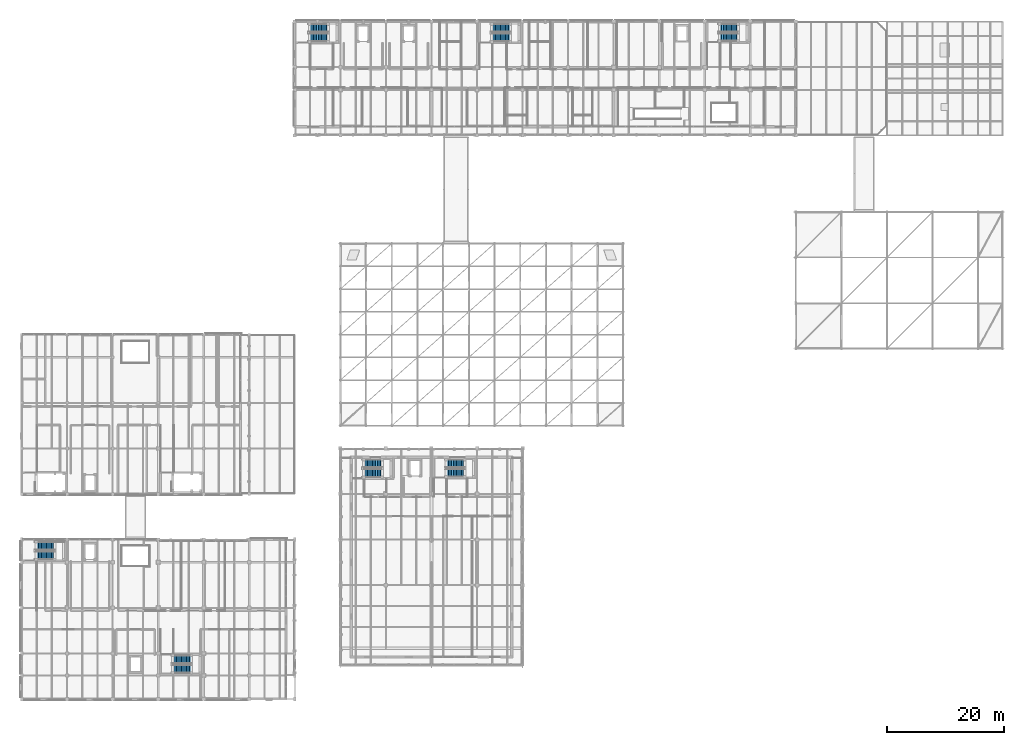
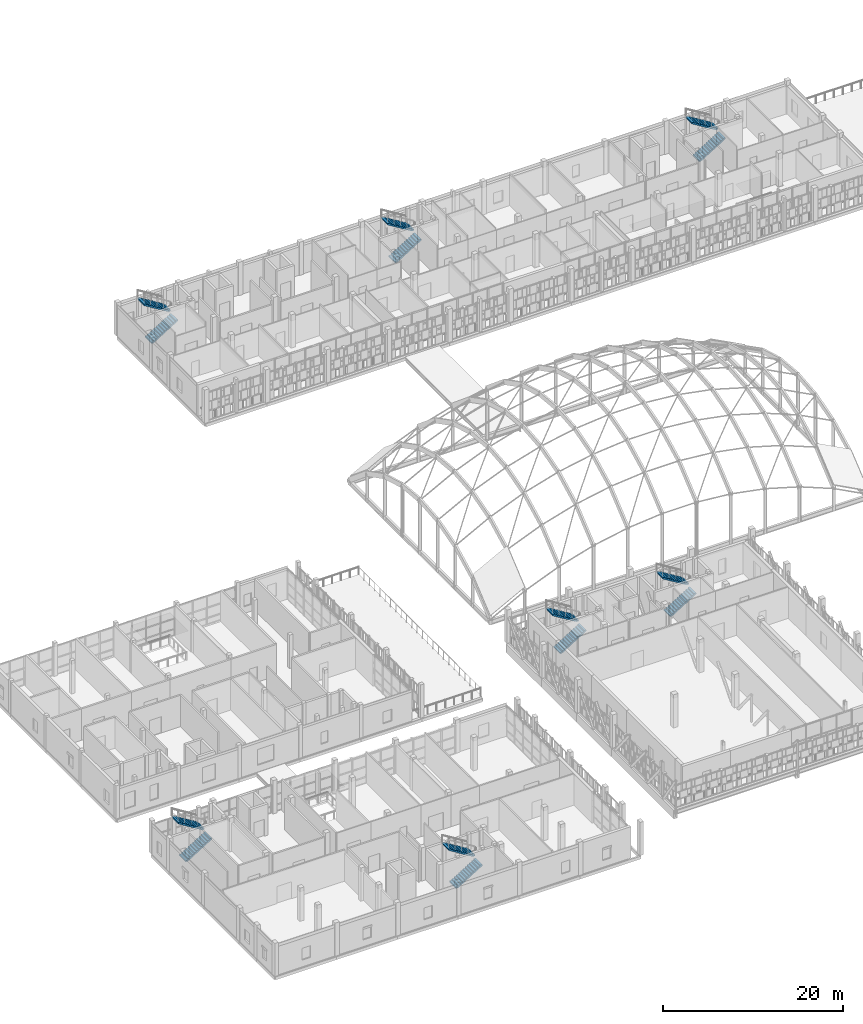
# One storey, part 101 of 119: 14 stair flights, 7 elements without a shape of their own.
"""IFC4 building model written with IfcOpenShell, lengths in metres."""

import ifcopenshell
import ifcopenshell.guid

model = None  # the IFC model being written
_history = None  # IfcOwnerHistory: only IFC2X3 demands one
_inside = {}  # id of a spatial element -> (the spatial element, [elements in it])
_under = {}  # id of a project, library or spatial element -> (it, [spatial elements below it])
_declared = {}  # id of a project -> (the project, [libraries it declares])
_typed = {}  # id of a type object -> (the type object, [elements of that type])
_made_of = {}  # id of a material, layer set ... -> (it, [elements and type objects made of it])


def new_model(schema):
    """Start an empty IFC model of exactly this schema.

    Asked for "IFC4X3", IfcOpenShell would pick the latest addendum, in which some entities
    have other attributes; the version numbers below select the first issue.
    IFC2X3 requires an IfcOwnerHistory on every rooted entity: one is made here for all.
    """
    global model, _history
    if schema == "IFC4X3":
        model = ifcopenshell.file(schema_version=(4, 3, 0, 0))
    else:
        model = ifcopenshell.file(schema=schema)
    _inside.clear()
    _under.clear()
    _declared.clear()
    _typed.clear()
    _made_of.clear()
    _history = None
    if model.schema == "IFC2X3":
        org = make("IfcOrganization", Name="unknown")
        user = make(
            "IfcPersonAndOrganization",
            ThePerson=make("IfcPerson", FamilyName="unknown"),
            TheOrganization=org,
        )
        app = make(
            "IfcApplication",
            ApplicationDeveloper=org,
            Version="unknown",
            ApplicationFullName="unknown",
            ApplicationIdentifier="unknown",
        )
        _history = make(
            "IfcOwnerHistory",
            OwningUser=user,
            OwningApplication=app,
            ChangeAction="ADDED",
            CreationDate=0,
        )
    return model


def make(cls, **values):
    """One entity of the class cls with the attributes given. An attribute that is None is left unset."""
    return model.create_entity(
        cls, **{name: value for name, value in values.items() if value is not None}
    )


def rooted(cls, **values):
    """An entity with a GlobalId (a new one), such as an element, a storey or a relation."""
    return make(cls, GlobalId=ifcopenshell.guid.new(), OwnerHistory=_history, **values)


def si_unit(unit_type, name, prefix=None):
    """IfcSIUnit, for example si_unit("LENGTHUNIT", "METRE", prefix="MILLI")."""
    return make("IfcSIUnit", UnitType=unit_type, Prefix=prefix, Name=name)


def assignment(units):
    """IfcUnitAssignment: the units of a project."""
    return None if units is None else make("IfcUnitAssignment", Units=units)


def point(xyz):
    """IfcCartesianPoint."""
    return None if xyz is None else make("IfcCartesianPoint", Coordinates=xyz)


def direction(xyz):
    """IfcDirection."""
    return None if xyz is None else make("IfcDirection", DirectionRatios=xyz)


def frame(location, z_axis=None, x_axis=None):
    """IfcAxis2Placement3D, a coordinate frame: its origin and axes. An axis left out is left unset."""
    return make(
        "IfcAxis2Placement3D",
        Location=point(location),
        Axis=direction(z_axis),
        RefDirection=direction(x_axis),
    )


def origin():
    """The frame at (0, 0, 0) with its axes left unset."""
    return frame((0.0, 0.0, 0.0))


def place(relative_to, where):
    """IfcLocalPlacement: puts the frame where relative to a parent placement (None: the world)."""
    return make(
        "IfcLocalPlacement", PlacementRelTo=relative_to, RelativePlacement=where
    )


def context(
    kind, dimensions, precision=None, world=None, true_north=None, identifier=None
):
    """IfcGeometricRepresentationContext, for example the 3D "Model" context."""
    return make(
        "IfcGeometricRepresentationContext",
        ContextIdentifier=identifier,
        ContextType=kind,
        CoordinateSpaceDimension=dimensions,
        Precision=precision,
        WorldCoordinateSystem=world,
        TrueNorth=true_north,
    )


def subcontext(parent, identifier, kind, view, scale=None):
    """IfcGeometricRepresentationSubContext, for example "Body" below "Model"."""
    return make(
        "IfcGeometricRepresentationSubContext",
        ContextIdentifier=identifier,
        ContextType=kind,
        ParentContext=parent,
        TargetScale=scale,
        TargetView=view,
    )


def project(units=None, contexts=None):
    """IfcProject with its units and contexts."""
    return rooted(
        "IfcProject",
        Name="project",
        RepresentationContexts=contexts,
        UnitsInContext=assignment(units),
    )


def spatial(cls, under=None, at=None, **own):
    """A site, building, storey or space (cls), placed at a placement, below another one or the project."""
    s = rooted(cls, ObjectPlacement=at, **own)
    if under is not None:
        _under.setdefault(under.id(), (under, []))[1].append(s)
    return s


def polyline(points):
    """IfcPolyline through the points."""
    return make("IfcPolyline", Points=[point(p) for p in points])


def outline(outer, holes=None, kind="AREA"):
    """IfcArbitraryClosedProfileDef: a profile drawn as a closed curve; with holes, ...WithVoids."""
    if holes is None:
        return make("IfcArbitraryClosedProfileDef", ProfileType=kind, OuterCurve=outer)
    return make(
        "IfcArbitraryProfileDefWithVoids",
        ProfileType=kind,
        OuterCurve=outer,
        InnerCurves=holes,
    )


def extrude(swept, where, along, depth):
    """IfcExtrudedAreaSolid: the profile swept, set in the frame where, extruded along a direction by depth."""
    return make(
        "IfcExtrudedAreaSolid",
        SweptArea=swept,
        Position=where,
        ExtrudedDirection=direction(along),
        Depth=depth,
    )


def shape(context_of_items, identifier, shape_type, items):
    """IfcShapeRepresentation: the items that make up one representation, for example the "Body"."""
    return make(
        "IfcShapeRepresentation",
        ContextOfItems=context_of_items,
        RepresentationIdentifier=identifier,
        RepresentationType=shape_type,
        Items=items,
    )


def material(Name=None, Category=None):
    """IfcMaterial."""
    return make("IfcMaterial", Name=Name, Category=Category)


def made_of(thing, what):
    """Note that an element or type object is made of a material, layer set ...; save() writes the relation."""
    if what is not None:
        _made_of.setdefault(what.id(), (what, []))[1].append(thing)
    return thing


def type_object(cls, material=None, **own):
    """A type object (cls), such as IfcWallType, which elements share."""
    return made_of(rooted(cls, **own), material)


def element(
    cls,
    number,
    at=None,
    inside=None,
    cuts=None,
    type_object=None,
    material=None,
    context=None,
    identifier="Body",
    shape_type=None,
    held_by="IfcProductDefinitionShape",
    body=None,
    shapes=None,
    **own,
):
    """One element of the class cls, such as IfcWall. Its Tag is "e" and its number.

    at: its placement. inside: the storey or other place that contains it. cuts: it is an
    opening in that element (IfcRelVoidsElement). A single representation is given by context,
    identifier, shape_type and body (its items); several are given by shapes. held_by: the class
    of the entity that holds the representations. save() writes the other relations.
    """
    e = rooted(cls, Tag="e%d" % number, ObjectPlacement=at, **own)
    if body is not None:
        shapes = [shape(context, identifier, shape_type, body)]
    if shapes is not None:
        e.Representation = make(held_by, Representations=shapes)
    if inside is not None:
        _inside.setdefault(inside.id(), (inside, []))[1].append(e)
    if cuts is not None:
        rooted(
            "IfcRelVoidsElement", RelatingBuildingElement=cuts, RelatedOpeningElement=e
        )
    if type_object is not None:
        _typed.setdefault(type_object.id(), (type_object, []))[1].append(e)
    return made_of(e, material)


def aggregate(whole, parts):
    """IfcRelAggregates: a whole, such as a stair, and the parts it consists of."""
    return rooted("IfcRelAggregates", RelatingObject=whole, RelatedObjects=parts)


def save(model, path):
    """Write the relations noted so far, then the file.

    IfcRelAggregates (storeys below a building ...), IfcRelContainedInSpatialStructure (elements
    in a storey), IfcRelDefinesByType, IfcRelAssociatesMaterial and IfcRelDeclares: one each for
    every whole, place, type object, material and project.
    """
    for whole, parts in _under.values():
        aggregate(whole, parts)
    for where, things in _inside.values():
        rooted(
            "IfcRelContainedInSpatialStructure",
            RelatedElements=things,
            RelatingStructure=where,
        )
    for kind, things in _typed.values():
        rooted("IfcRelDefinesByType", RelatedObjects=things, RelatingType=kind)
    for what, things in _made_of.values():
        rooted("IfcRelAssociatesMaterial", RelatedObjects=things, RelatingMaterial=what)
    for by, libraries in _declared.values():
        rooted("IfcRelDeclares", RelatingContext=by, RelatedDefinitions=libraries)
    model.write(path)


model = new_model("IFC4")

# Units and contexts
model_context = context("Model", 3, precision=1e-05, world=origin(), true_north=direction((0.0, 1.0)))
body_context = subcontext(model_context, "Body", "Model", "MODEL_VIEW")
ifc_project = project(units=[si_unit("LENGTHUNIT", "METRE"), si_unit("AREAUNIT", "SQUARE_METRE"), si_unit("VOLUMEUNIT", "CUBIC_METRE"), si_unit("PLANEANGLEUNIT", "RADIAN"), si_unit("MASSUNIT", "GRAM", prefix="KILO")], contexts=[model_context])

# Site, building, storey
site_placement = place(None, origin())
site = spatial("IfcSite", under=ifc_project, at=site_placement, CompositionType="ELEMENT")
building_placement = place(site_placement, origin())
building = spatial("IfcBuilding", under=site, at=building_placement, Name="Celorna Specialist Clinic", CompositionType="ELEMENT")
storey_placement = place(building_placement, frame((0.0, 0.0, 9.60009765625)))
storey = spatial("IfcBuildingStorey", under=building, at=storey_placement, Name="L02", CompositionType="ELEMENT", Elevation=9.60009765625)

# Stair, stair flights
ifc_material = material(Name="Concrete C35/45", Category="concrete")
stair_type_1 = type_object("IfcStairType", Name="ST-01", PredefinedType="HALF_TURN_STAIR", material=ifc_material)
stair_1_placement = place(storey_placement, origin())
stair_1 = element("IfcStair", 1, at=stair_1_placement, inside=storey, type_object=stair_type_1, Name="L02 Protected exit stair ST-01", PredefinedType="HALF_TURN_STAIR")
stair_flight_type_1 = type_object("IfcStairFlightType", Name="SFL-01", PredefinedType="STRAIGHT", material=ifc_material)
stair_flight_1_placement = place(storey_placement, frame((49.139892578125, 113.2451171875, 0.0), z_axis=(0.0, 0.0, 1.0), x_axis=(1.0, 0.0, 0.0)))
stair_flight_1 = element("IfcStairFlight", 2, at=stair_flight_1_placement, type_object=stair_flight_type_1, Name="ST-01 flight 1", NumberOfRisers=13, NumberOfTreads=12, PredefinedType="STRAIGHT", RiserHeight=0.173076923, TreadLength=0.28, context=body_context, shape_type="SweptSolid", body=[
    extrude(outline(polyline([(0.0, 0.0), (0.0, 0.173095703125), (0.280029296875, 0.173095703125), (0.280029296875, 0.34619140625), (0.56005859375, 0.34619140625), (0.56005859375, 0.519287109375), (0.840087890625, 0.519287109375), (0.840087890625, 0.6923828125), (1.1201171875, 0.6923828125), (1.1201171875, 0.865478515625), (1.39990234375, 0.865478515625), (1.39990234375, 1.03857421875), (1.679931640625, 1.03857421875), (1.679931640625, 1.21142578125), (1.9599609375, 1.21142578125), (1.9599609375, 1.384521484375), (2.239990234375, 1.384521484375), (2.239990234375, 1.5576171875), (2.52001953125, 1.5576171875), (2.52001953125, 1.730712890625), (2.800048828125, 1.730712890625), (2.800048828125, 1.90380859375), (3.080078125, 1.90380859375), (3.080078125, 2.076904296875), (3.360107421875, 2.076904296875), (3.360107421875, 2.25), (3.360107421875, 1.900634765625), (0.28515625, 0.0), (0.0, 0.0)])), frame((0.0, 0.72509765625, 0.0), z_axis=(0.0, -1.0, 0.0), x_axis=(1.0, 0.0, 0.0)), (0.0, 0.0, 1.0), 1.449951171875),
])
stair_flight_2_placement = place(storey_placement, frame((52.5, 114.89501953125, 2.25), z_axis=(0.0, 0.0, 1.0), x_axis=(-1.0, 0.0, 0.0)))
stair_flight_2 = element("IfcStairFlight", 3, at=stair_flight_2_placement, type_object=stair_flight_type_1, Name="ST-01 flight 2", NumberOfRisers=13, NumberOfTreads=12, PredefinedType="STRAIGHT", RiserHeight=0.173076923, TreadLength=0.28, context=body_context, shape_type="SweptSolid", body=[
    extrude(outline(polyline([(0.0, 0.0), (0.0, 0.173095703125), (0.280029296875, 0.173095703125), (0.280029296875, 0.34619140625), (0.56005859375, 0.34619140625), (0.56005859375, 0.519287109375), (0.840087890625, 0.519287109375), (0.840087890625, 0.6923828125), (1.1201171875, 0.6923828125), (1.1201171875, 0.865478515625), (1.39990234375, 0.865478515625), (1.39990234375, 1.03857421875), (1.679931640625, 1.03857421875), (1.679931640625, 1.21142578125), (1.9599609375, 1.21142578125), (1.9599609375, 1.384521484375), (2.239990234375, 1.384521484375), (2.239990234375, 1.5576171875), (2.52001953125, 1.5576171875), (2.52001953125, 1.730712890625), (2.800048828125, 1.730712890625), (2.800048828125, 1.90380859375), (3.080078125, 1.90380859375), (3.080078125, 2.076904296875), (3.360107421875, 2.076904296875), (3.360107421875, 2.25), (3.360107421875, 1.900634765625), (0.28515625, 0.0), (0.0, 0.0)])), frame((0.0, 0.72509765625, 0.0), z_axis=(0.0, -1.0, 0.0), x_axis=(1.0, 0.0, 0.0)), (0.0, 0.0, 1.0), 1.449951171875),
])
aggregate(stair_1, [stair_flight_1, stair_flight_2])

stair_2_placement = place(storey_placement, origin())
stair_2 = element("IfcStair", 4, at=stair_2_placement, inside=storey, type_object=stair_type_1, Name="L02 Protected exit stair ST-02", PredefinedType="HALF_TURN_STAIR")
stair_flight_3_placement = place(storey_placement, frame((80.340087890625, 113.2451171875, 0.0), z_axis=(0.0, 0.0, 1.0), x_axis=(1.0, 0.0, 0.0)))
stair_flight_3 = element("IfcStairFlight", 5, at=stair_flight_3_placement, type_object=stair_flight_type_1, Name="ST-02 flight 1", NumberOfRisers=13, NumberOfTreads=12, PredefinedType="STRAIGHT", RiserHeight=0.173076923, TreadLength=0.28, context=body_context, shape_type="SweptSolid", body=[
    extrude(outline(polyline([(0.0, 0.0), (0.0, 0.173095703125), (0.280029296875, 0.173095703125), (0.280029296875, 0.34619140625), (0.56005859375, 0.34619140625), (0.56005859375, 0.519287109375), (0.840087890625, 0.519287109375), (0.840087890625, 0.6923828125), (1.1201171875, 0.6923828125), (1.1201171875, 0.865478515625), (1.39990234375, 0.865478515625), (1.39990234375, 1.03857421875), (1.679931640625, 1.03857421875), (1.679931640625, 1.21142578125), (1.9599609375, 1.21142578125), (1.9599609375, 1.384521484375), (2.239990234375, 1.384521484375), (2.239990234375, 1.5576171875), (2.52001953125, 1.5576171875), (2.52001953125, 1.730712890625), (2.800048828125, 1.730712890625), (2.800048828125, 1.90380859375), (3.080078125, 1.90380859375), (3.080078125, 2.076904296875), (3.360107421875, 2.076904296875), (3.360107421875, 2.25), (3.360107421875, 1.900634765625), (0.28515625, 0.0), (0.0, 0.0)])), frame((0.0, 0.72509765625, 0.0), z_axis=(0.0, -1.0, 0.0), x_axis=(1.0, 0.0, 0.0)), (0.0, 0.0, 1.0), 1.449951171875),
])
stair_flight_4_placement = place(storey_placement, frame((83.699951171875, 114.89501953125, 2.25), z_axis=(0.0, 0.0, 1.0), x_axis=(-1.0, 0.0, 0.0)))
stair_flight_4 = element("IfcStairFlight", 6, at=stair_flight_4_placement, type_object=stair_flight_type_1, Name="ST-02 flight 2", NumberOfRisers=13, NumberOfTreads=12, PredefinedType="STRAIGHT", RiserHeight=0.173076923, TreadLength=0.28, context=body_context, shape_type="SweptSolid", body=[
    extrude(outline(polyline([(0.0, 0.0), (0.0, 0.173095703125), (0.280029296875, 0.173095703125), (0.280029296875, 0.34619140625), (0.56005859375, 0.34619140625), (0.56005859375, 0.519287109375), (0.840087890625, 0.519287109375), (0.840087890625, 0.6923828125), (1.1201171875, 0.6923828125), (1.1201171875, 0.865478515625), (1.39990234375, 0.865478515625), (1.39990234375, 1.03857421875), (1.679931640625, 1.03857421875), (1.679931640625, 1.21142578125), (1.9599609375, 1.21142578125), (1.9599609375, 1.384521484375), (2.239990234375, 1.384521484375), (2.239990234375, 1.5576171875), (2.52001953125, 1.5576171875), (2.52001953125, 1.730712890625), (2.800048828125, 1.730712890625), (2.800048828125, 1.90380859375), (3.080078125, 1.90380859375), (3.080078125, 2.076904296875), (3.360107421875, 2.076904296875), (3.360107421875, 2.25), (3.360107421875, 1.900634765625), (0.28515625, 0.0), (0.0, 0.0)])), frame((0.0, 0.72509765625, 0.0), z_axis=(0.0, -1.0, 0.0), x_axis=(1.0, 0.0, 0.0)), (0.0, 0.0, 1.0), 1.449951171875),
])
aggregate(stair_2, [stair_flight_3, stair_flight_4])

stair_3_placement = place(storey_placement, origin())
stair_3 = element("IfcStair", 7, at=stair_3_placement, inside=storey, type_object=stair_type_1, Name="L02 Protected exit stair ST-04", PredefinedType="HALF_TURN_STAIR")
stair_flight_5_placement = place(storey_placement, frame((2.31005859375, 24.544921875, 0.0), z_axis=(0.0, 0.0, 1.0), x_axis=(1.0, 0.0, 0.0)))
stair_flight_5 = element("IfcStairFlight", 8, at=stair_flight_5_placement, type_object=stair_flight_type_1, Name="ST-04 flight 1", NumberOfRisers=13, NumberOfTreads=12, PredefinedType="STRAIGHT", RiserHeight=0.173076923, TreadLength=0.28, context=body_context, shape_type="SweptSolid", body=[
    extrude(outline(polyline([(0.0, 0.0), (0.0, 0.173095703125), (0.280029296875, 0.173095703125), (0.280029296875, 0.34619140625), (0.56005859375, 0.34619140625), (0.56005859375, 0.519287109375), (0.840087890625, 0.519287109375), (0.840087890625, 0.6923828125), (1.1201171875, 0.6923828125), (1.1201171875, 0.865478515625), (1.39990234375, 0.865478515625), (1.39990234375, 1.03857421875), (1.679931640625, 1.03857421875), (1.679931640625, 1.21142578125), (1.9599609375, 1.21142578125), (1.9599609375, 1.384521484375), (2.239990234375, 1.384521484375), (2.239990234375, 1.5576171875), (2.52001953125, 1.5576171875), (2.52001953125, 1.730712890625), (2.800048828125, 1.730712890625), (2.800048828125, 1.90380859375), (3.080078125, 1.90380859375), (3.080078125, 2.076904296875), (3.360107421875, 2.076904296875), (3.360107421875, 2.25), (3.360107421875, 1.900634765625), (0.28515625, 0.0), (0.0, 0.0)])), frame((0.0, 0.72509765625, 0.0), z_axis=(0.0, -1.0, 0.0), x_axis=(1.0, 0.0, 0.0)), (0.0, 0.0, 1.0), 1.449951171875),
])
stair_flight_6_placement = place(storey_placement, frame((5.669921875, 26.195068359375, 2.25), z_axis=(0.0, 0.0, 1.0), x_axis=(-1.0, 0.0, 0.0)))
stair_flight_6 = element("IfcStairFlight", 9, at=stair_flight_6_placement, type_object=stair_flight_type_1, Name="ST-04 flight 2", NumberOfRisers=13, NumberOfTreads=12, PredefinedType="STRAIGHT", RiserHeight=0.173076923, TreadLength=0.28, context=body_context, shape_type="SweptSolid", body=[
    extrude(outline(polyline([(0.0, 0.0), (0.0, 0.173095703125), (0.280029296875, 0.173095703125), (0.280029296875, 0.34619140625), (0.56005859375, 0.34619140625), (0.56005859375, 0.519287109375), (0.840087890625, 0.519287109375), (0.840087890625, 0.6923828125), (1.1201171875, 0.6923828125), (1.1201171875, 0.865478515625), (1.39990234375, 0.865478515625), (1.39990234375, 1.03857421875), (1.679931640625, 1.03857421875), (1.679931640625, 1.21142578125), (1.9599609375, 1.21142578125), (1.9599609375, 1.384521484375), (2.239990234375, 1.384521484375), (2.239990234375, 1.5576171875), (2.52001953125, 1.5576171875), (2.52001953125, 1.730712890625), (2.800048828125, 1.730712890625), (2.800048828125, 1.90380859375), (3.080078125, 1.90380859375), (3.080078125, 2.076904296875), (3.360107421875, 2.076904296875), (3.360107421875, 2.25), (3.360107421875, 1.900634765625), (0.28515625, 0.0), (0.0, 0.0)])), frame((0.0, 0.72509765625, 0.0), z_axis=(0.0, -1.0, 0.0), x_axis=(1.0, 0.0, 0.0)), (0.0, 0.0, 1.0), 1.449951171875),
])
aggregate(stair_3, [stair_flight_5, stair_flight_6])

stair_4_placement = place(storey_placement, origin())
stair_4 = element("IfcStair", 10, at=stair_4_placement, inside=storey, type_object=stair_type_1, Name="L02 Protected exit stair ST-05", PredefinedType="HALF_TURN_STAIR")
stair_flight_7_placement = place(storey_placement, frame((25.7099609375, 5.10498046875, 0.0), z_axis=(0.0, 0.0, 1.0), x_axis=(1.0, 0.0, 0.0)))
stair_flight_7 = element("IfcStairFlight", 11, at=stair_flight_7_placement, type_object=stair_flight_type_1, Name="ST-05 flight 1", NumberOfRisers=13, NumberOfTreads=12, PredefinedType="STRAIGHT", RiserHeight=0.173076923, TreadLength=0.28, context=body_context, shape_type="SweptSolid", body=[
    extrude(outline(polyline([(0.0, 0.0), (0.0, 0.173095703125), (0.280029296875, 0.173095703125), (0.280029296875, 0.34619140625), (0.56005859375, 0.34619140625), (0.56005859375, 0.519287109375), (0.840087890625, 0.519287109375), (0.840087890625, 0.6923828125), (1.1201171875, 0.6923828125), (1.1201171875, 0.865478515625), (1.39990234375, 0.865478515625), (1.39990234375, 1.03857421875), (1.679931640625, 1.03857421875), (1.679931640625, 1.21142578125), (1.9599609375, 1.21142578125), (1.9599609375, 1.384521484375), (2.239990234375, 1.384521484375), (2.239990234375, 1.5576171875), (2.52001953125, 1.5576171875), (2.52001953125, 1.730712890625), (2.800048828125, 1.730712890625), (2.800048828125, 1.90380859375), (3.080078125, 1.90380859375), (3.080078125, 2.076904296875), (3.360107421875, 2.076904296875), (3.360107421875, 2.25), (3.360107421875, 1.900634765625), (0.28515625, 0.0), (0.0, 0.0)])), frame((0.0, 0.72509765625, 0.0), z_axis=(0.0, -1.0, 0.0), x_axis=(1.0, 0.0, 0.0)), (0.0, 0.0, 1.0), 1.449951171875),
])
stair_flight_8_placement = place(storey_placement, frame((29.070068359375, 6.7548828125, 2.25), z_axis=(0.0, 0.0, 1.0), x_axis=(-1.0, 0.0, 0.0)))
stair_flight_8 = element("IfcStairFlight", 12, at=stair_flight_8_placement, type_object=stair_flight_type_1, Name="ST-05 flight 2", NumberOfRisers=13, NumberOfTreads=12, PredefinedType="STRAIGHT", RiserHeight=0.173076923, TreadLength=0.28, context=body_context, shape_type="SweptSolid", body=[
    extrude(outline(polyline([(0.0, 0.0), (0.0, 0.173095703125), (0.280029296875, 0.173095703125), (0.280029296875, 0.34619140625), (0.56005859375, 0.34619140625), (0.56005859375, 0.519287109375), (0.840087890625, 0.519287109375), (0.840087890625, 0.6923828125), (1.1201171875, 0.6923828125), (1.1201171875, 0.865478515625), (1.39990234375, 0.865478515625), (1.39990234375, 1.03857421875), (1.679931640625, 1.03857421875), (1.679931640625, 1.21142578125), (1.9599609375, 1.21142578125), (1.9599609375, 1.384521484375), (2.239990234375, 1.384521484375), (2.239990234375, 1.5576171875), (2.52001953125, 1.5576171875), (2.52001953125, 1.730712890625), (2.800048828125, 1.730712890625), (2.800048828125, 1.90380859375), (3.080078125, 1.90380859375), (3.080078125, 2.076904296875), (3.360107421875, 2.076904296875), (3.360107421875, 2.25), (3.360107421875, 1.900634765625), (0.28515625, 0.0), (0.0, 0.0)])), frame((0.0, 0.72509765625, 0.0), z_axis=(0.0, -1.0, 0.0), x_axis=(1.0, 0.0, 0.0)), (0.0, 0.0, 1.0), 1.449951171875),
])
aggregate(stair_4, [stair_flight_7, stair_flight_8])

stair_5_placement = place(storey_placement, origin())
stair_5 = element("IfcStair", 13, at=stair_5_placement, inside=storey, type_object=stair_type_1, Name="L02 Protected exit stair ST-08", PredefinedType="HALF_TURN_STAIR")
stair_flight_9_placement = place(storey_placement, frame((58.39990234375, 38.64501953125, 0.0), z_axis=(0.0, 0.0, 1.0), x_axis=(1.0, 0.0, 0.0)))
stair_flight_9 = element("IfcStairFlight", 14, at=stair_flight_9_placement, type_object=stair_flight_type_1, Name="ST-08 flight 1", NumberOfRisers=13, NumberOfTreads=12, PredefinedType="STRAIGHT", RiserHeight=0.173076923, TreadLength=0.28, context=body_context, shape_type="SweptSolid", body=[
    extrude(outline(polyline([(0.0, 0.0), (0.0, 0.173095703125), (0.280029296875, 0.173095703125), (0.280029296875, 0.34619140625), (0.56005859375, 0.34619140625), (0.56005859375, 0.519287109375), (0.840087890625, 0.519287109375), (0.840087890625, 0.6923828125), (1.1201171875, 0.6923828125), (1.1201171875, 0.865478515625), (1.39990234375, 0.865478515625), (1.39990234375, 1.03857421875), (1.679931640625, 1.03857421875), (1.679931640625, 1.21142578125), (1.9599609375, 1.21142578125), (1.9599609375, 1.384521484375), (2.239990234375, 1.384521484375), (2.239990234375, 1.5576171875), (2.52001953125, 1.5576171875), (2.52001953125, 1.730712890625), (2.800048828125, 1.730712890625), (2.800048828125, 1.90380859375), (3.080078125, 1.90380859375), (3.080078125, 2.076904296875), (3.360107421875, 2.076904296875), (3.360107421875, 2.25), (3.360107421875, 1.900634765625), (0.28515625, 0.0), (0.0, 0.0)])), frame((0.0, 0.72509765625, 0.0), z_axis=(0.0, -1.0, 0.0), x_axis=(1.0, 0.0, 0.0)), (0.0, 0.0, 1.0), 1.449951171875),
])
stair_flight_10_placement = place(storey_placement, frame((61.760009765625, 40.294921875, 2.25), z_axis=(0.0, 0.0, 1.0), x_axis=(-1.0, 0.0, 0.0)))
stair_flight_10 = element("IfcStairFlight", 15, at=stair_flight_10_placement, type_object=stair_flight_type_1, Name="ST-08 flight 2", NumberOfRisers=13, NumberOfTreads=12, PredefinedType="STRAIGHT", RiserHeight=0.173076923, TreadLength=0.28, context=body_context, shape_type="SweptSolid", body=[
    extrude(outline(polyline([(0.0, 0.0), (0.0, 0.173095703125), (0.280029296875, 0.173095703125), (0.280029296875, 0.34619140625), (0.56005859375, 0.34619140625), (0.56005859375, 0.519287109375), (0.840087890625, 0.519287109375), (0.840087890625, 0.6923828125), (1.1201171875, 0.6923828125), (1.1201171875, 0.865478515625), (1.39990234375, 0.865478515625), (1.39990234375, 1.03857421875), (1.679931640625, 1.03857421875), (1.679931640625, 1.21142578125), (1.9599609375, 1.21142578125), (1.9599609375, 1.384521484375), (2.239990234375, 1.384521484375), (2.239990234375, 1.5576171875), (2.52001953125, 1.5576171875), (2.52001953125, 1.730712890625), (2.800048828125, 1.730712890625), (2.800048828125, 1.90380859375), (3.080078125, 1.90380859375), (3.080078125, 2.076904296875), (3.360107421875, 2.076904296875), (3.360107421875, 2.25), (3.360107421875, 1.900634765625), (0.28515625, 0.0), (0.0, 0.0)])), frame((0.0, 0.72509765625, 0.0), z_axis=(0.0, -1.0, 0.0), x_axis=(1.0, 0.0, 0.0)), (0.0, 0.0, 1.0), 1.449951171875),
])
aggregate(stair_5, [stair_flight_9, stair_flight_10])

stair_type_2 = type_object("IfcStairType", Name="ST-04", PredefinedType="HALF_TURN_STAIR", material=ifc_material)
stair_6_placement = place(storey_placement, origin())
stair_6 = element("IfcStair", 16, at=stair_6_placement, inside=storey, type_object=stair_type_2, Name="L02 Protected exit stair ST-03", PredefinedType="HALF_TURN_STAIR")
stair_flight_type_2 = type_object("IfcStairFlightType", Name="SFL-04", PredefinedType="STRAIGHT", material=ifc_material)
stair_flight_11_placement = place(storey_placement, frame((119.340087890625, 113.320068359375, 0.0), z_axis=(0.0, 0.0, 1.0), x_axis=(1.0, 0.0, 0.0)))
stair_flight_11 = element("IfcStairFlight", 17, at=stair_flight_11_placement, type_object=stair_flight_type_2, Name="ST-03 flight 1", NumberOfRisers=13, NumberOfTreads=12, PredefinedType="STRAIGHT", RiserHeight=0.173076923, TreadLength=0.28, context=body_context, shape_type="SweptSolid", body=[
    extrude(outline(polyline([(0.0, 0.0), (0.0, 0.173095703125), (0.280029296875, 0.173095703125), (0.280029296875, 0.34619140625), (0.56005859375, 0.34619140625), (0.56005859375, 0.519287109375), (0.840087890625, 0.519287109375), (0.840087890625, 0.6923828125), (1.1201171875, 0.6923828125), (1.1201171875, 0.865478515625), (1.39990234375, 0.865478515625), (1.39990234375, 1.03857421875), (1.679931640625, 1.03857421875), (1.679931640625, 1.21142578125), (1.9599609375, 1.21142578125), (1.9599609375, 1.384521484375), (2.239990234375, 1.384521484375), (2.239990234375, 1.5576171875), (2.52001953125, 1.5576171875), (2.52001953125, 1.730712890625), (2.800048828125, 1.730712890625), (2.800048828125, 1.90380859375), (3.080078125, 1.90380859375), (3.080078125, 2.076904296875), (3.360107421875, 2.076904296875), (3.360107421875, 2.25), (3.360107421875, 1.900634765625), (0.28515625, 0.0), (0.0, 0.0)])), frame((0.0, 0.699951171875, 0.0), z_axis=(0.0, -1.0, 0.0), x_axis=(1.0, 0.0, 0.0)), (0.0, 0.0, 1.0), 1.39990234375),
])
stair_flight_12_placement = place(storey_placement, frame((122.699951171875, 114.919921875, 2.25), z_axis=(0.0, 0.0, 1.0), x_axis=(-1.0, 0.0, 0.0)))
stair_flight_12 = element("IfcStairFlight", 18, at=stair_flight_12_placement, type_object=stair_flight_type_2, Name="ST-03 flight 2", NumberOfRisers=13, NumberOfTreads=12, PredefinedType="STRAIGHT", RiserHeight=0.173076923, TreadLength=0.28, context=body_context, shape_type="SweptSolid", body=[
    extrude(outline(polyline([(0.0, 0.0), (0.0, 0.173095703125), (0.280029296875, 0.173095703125), (0.280029296875, 0.34619140625), (0.56005859375, 0.34619140625), (0.56005859375, 0.519287109375), (0.840087890625, 0.519287109375), (0.840087890625, 0.6923828125), (1.1201171875, 0.6923828125), (1.1201171875, 0.865478515625), (1.39990234375, 0.865478515625), (1.39990234375, 1.03857421875), (1.679931640625, 1.03857421875), (1.679931640625, 1.21142578125), (1.9599609375, 1.21142578125), (1.9599609375, 1.384521484375), (2.239990234375, 1.384521484375), (2.239990234375, 1.5576171875), (2.52001953125, 1.5576171875), (2.52001953125, 1.730712890625), (2.800048828125, 1.730712890625), (2.800048828125, 1.90380859375), (3.080078125, 1.90380859375), (3.080078125, 2.076904296875), (3.360107421875, 2.076904296875), (3.360107421875, 2.25), (3.360107421875, 1.900634765625), (0.28515625, 0.0), (0.0, 0.0)])), frame((0.0, 0.699951171875, 0.0), z_axis=(0.0, -1.0, 0.0), x_axis=(1.0, 0.0, 0.0)), (0.0, 0.0, 1.0), 1.39990234375),
])
aggregate(stair_6, [stair_flight_11, stair_flight_12])

stair_7_placement = place(storey_placement, origin())
stair_7 = element("IfcStair", 19, at=stair_7_placement, inside=storey, type_object=stair_type_2, Name="L02 Protected exit stair ST-09", PredefinedType="HALF_TURN_STAIR")
stair_flight_13_placement = place(storey_placement, frame((72.5400390625, 38.719970703125, 0.0), z_axis=(0.0, 0.0, 1.0), x_axis=(1.0, 0.0, 0.0)))
stair_flight_13 = element("IfcStairFlight", 20, at=stair_flight_13_placement, type_object=stair_flight_type_2, Name="ST-09 flight 1", NumberOfRisers=13, NumberOfTreads=12, PredefinedType="STRAIGHT", RiserHeight=0.173076923, TreadLength=0.28, context=body_context, shape_type="SweptSolid", body=[
    extrude(outline(polyline([(0.0, 0.0), (0.0, 0.173095703125), (0.280029296875, 0.173095703125), (0.280029296875, 0.34619140625), (0.56005859375, 0.34619140625), (0.56005859375, 0.519287109375), (0.840087890625, 0.519287109375), (0.840087890625, 0.6923828125), (1.1201171875, 0.6923828125), (1.1201171875, 0.865478515625), (1.39990234375, 0.865478515625), (1.39990234375, 1.03857421875), (1.679931640625, 1.03857421875), (1.679931640625, 1.21142578125), (1.9599609375, 1.21142578125), (1.9599609375, 1.384521484375), (2.239990234375, 1.384521484375), (2.239990234375, 1.5576171875), (2.52001953125, 1.5576171875), (2.52001953125, 1.730712890625), (2.800048828125, 1.730712890625), (2.800048828125, 1.90380859375), (3.080078125, 1.90380859375), (3.080078125, 2.076904296875), (3.360107421875, 2.076904296875), (3.360107421875, 2.25), (3.360107421875, 1.900634765625), (0.28515625, 0.0), (0.0, 0.0)])), frame((0.0, 0.699951171875, 0.0), z_axis=(0.0, -1.0, 0.0), x_axis=(1.0, 0.0, 0.0)), (0.0, 0.0, 1.0), 1.39990234375),
])
stair_flight_14_placement = place(storey_placement, frame((75.89990234375, 40.320068359375, 2.25), z_axis=(0.0, 0.0, 1.0), x_axis=(-1.0, 0.0, 0.0)))
stair_flight_14 = element("IfcStairFlight", 21, at=stair_flight_14_placement, type_object=stair_flight_type_2, Name="ST-09 flight 2", NumberOfRisers=13, NumberOfTreads=12, PredefinedType="STRAIGHT", RiserHeight=0.173076923, TreadLength=0.28, context=body_context, shape_type="SweptSolid", body=[
    extrude(outline(polyline([(0.0, 0.0), (0.0, 0.173095703125), (0.280029296875, 0.173095703125), (0.280029296875, 0.34619140625), (0.56005859375, 0.34619140625), (0.56005859375, 0.519287109375), (0.840087890625, 0.519287109375), (0.840087890625, 0.6923828125), (1.1201171875, 0.6923828125), (1.1201171875, 0.865478515625), (1.39990234375, 0.865478515625), (1.39990234375, 1.03857421875), (1.679931640625, 1.03857421875), (1.679931640625, 1.21142578125), (1.9599609375, 1.21142578125), (1.9599609375, 1.384521484375), (2.239990234375, 1.384521484375), (2.239990234375, 1.5576171875), (2.52001953125, 1.5576171875), (2.52001953125, 1.730712890625), (2.800048828125, 1.730712890625), (2.800048828125, 1.90380859375), (3.080078125, 1.90380859375), (3.080078125, 2.076904296875), (3.360107421875, 2.076904296875), (3.360107421875, 2.25), (3.360107421875, 1.900634765625), (0.28515625, 0.0), (0.0, 0.0)])), frame((0.0, 0.699951171875, 0.0), z_axis=(0.0, -1.0, 0.0), x_axis=(1.0, 0.0, 0.0)), (0.0, 0.0, 1.0), 1.39990234375),
])
aggregate(stair_7, [stair_flight_13, stair_flight_14])

save(model, "model.ifc")
